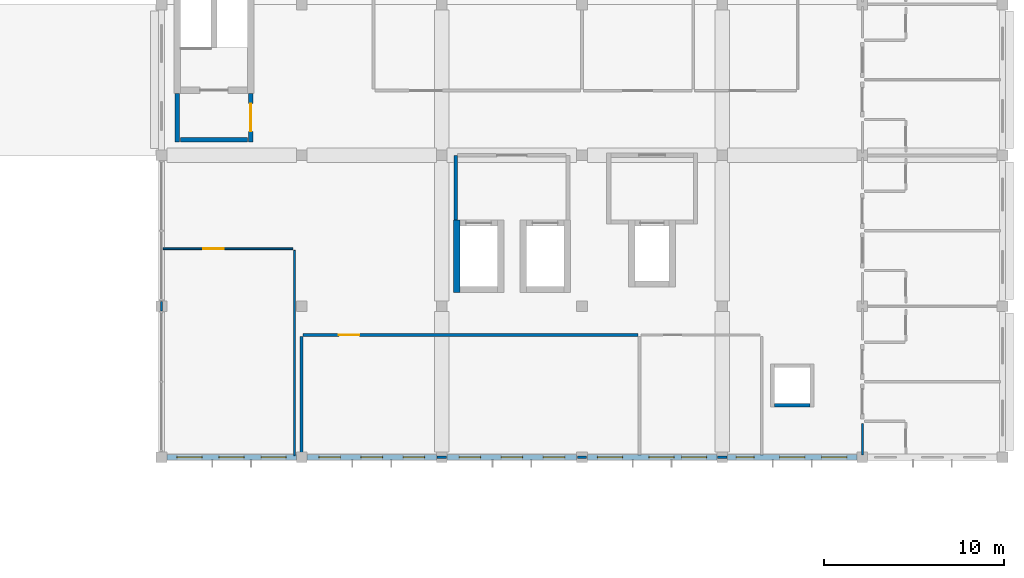
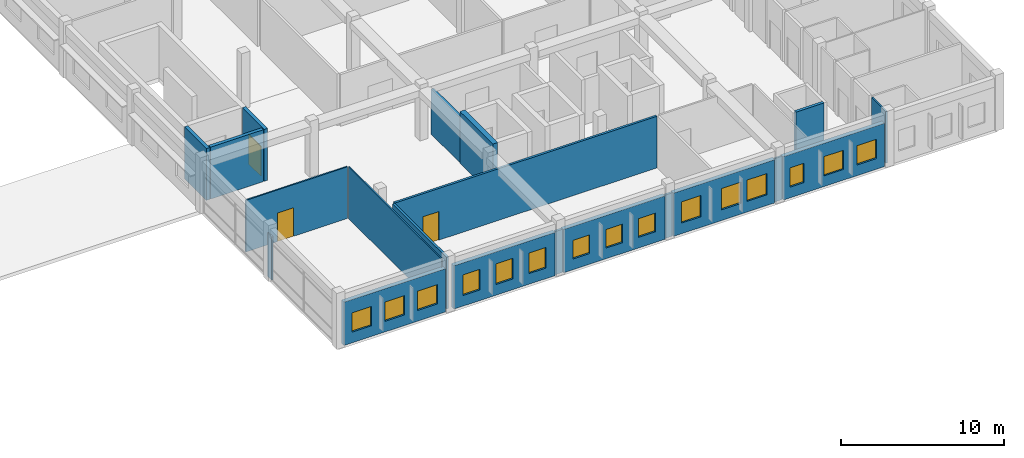
# One storey, part 18 of 32: 20 walls, 15 windows, 3 doors, 18 openings.
"""IFC4 building model written with IfcOpenShell, lengths in metres."""

from ifc_helpers import new_model, si_unit, direction, frame, frame_2d, origin, place, context, subcontext, project, spatial, rectangle, extrude, material, layer, layer_set, type_object, element, fill, save


model = new_model("IFC4")

# Units and contexts
model_context = context("Model", 3, precision=1e-05, world=origin(), true_north=direction((0.0, 1.0)))
body_context = subcontext(model_context, "Body", "Model", "MODEL_VIEW")
ifc_project = project(units=[si_unit("LENGTHUNIT", "METRE"), si_unit("AREAUNIT", "SQUARE_METRE"), si_unit("VOLUMEUNIT", "CUBIC_METRE"), si_unit("PLANEANGLEUNIT", "RADIAN"), si_unit("MASSUNIT", "GRAM", prefix="KILO"), si_unit("THERMODYNAMICTEMPERATUREUNIT", "KELVIN"), si_unit("POWERUNIT", "WATT")], contexts=[model_context])

# Site, building, storey
site_placement = place(None, origin())
site = spatial("IfcSite", under=ifc_project, at=site_placement, CompositionType="ELEMENT")
building_placement = place(site_placement, origin())
building = spatial("IfcBuilding", under=site, at=building_placement, Name="Srebrne Nadtorze General Hospital", CompositionType="ELEMENT")
storey_placement = place(building_placement, frame((0.0, 0.0, 29.699951171875)))
storey = spatial("IfcBuildingStorey", under=building, at=storey_placement, Name="L07", CompositionType="ELEMENT", Elevation=29.699951171875)

# Wall, opening, door
ifc_material_1 = material(Name="Gypsum Healthcare Partition")
ifc_layer_1 = layer(ifc_material_1, 0.159912109375)
ifc_layer_set_1 = layer_set([ifc_layer_1], Name="Gypsum Healthcare Partition")
wall_type_1 = type_object("IfcWallType", Name="Clinical partition 160", PredefinedType="PARTITIONING", material=ifc_layer_set_1)
wall_1_placement = place(storey_placement, frame((109.284912109375, 40.39990234375, 0.0), z_axis=(0.0, 0.0, 1.0), x_axis=(1.0, 0.0, 0.0)))
wall_1 = element("IfcWall", 1, at=wall_1_placement, inside=storey, type_object=wall_type_1, Name="Inpatient Family Consultation Room wall WL-INT-L07-2459", PredefinedType="PARTITIONING", context=body_context, shape_type="SweptSolid", body=[
    extrude(rectangle(XDim=18.630126953125, YDim=0.159912109375, at=frame_2d((9.31494140625, 0.0))), origin(), (0.0, 0.0, 1.0), 3.880126953125),
])
opening_1_placement = place(wall_1_placement, frame((1.982666015625, 0.0, 0.0)))
opening_1 = element("IfcOpeningElement", 2, at=opening_1_placement, cuts=wall_1, Name="Opening D-L07-0570", PredefinedType="OPENING", context=body_context, shape_type="SweptSolid", body=[
    extrude(rectangle(XDim=1.14990234375, YDim=2.14990234375, at=frame_2d((0.574951171875, 1.074951171875))), frame((0.0, 0.091796875, 0.0), z_axis=(0.0, -1.0, 0.0), x_axis=(1.0, 0.0, 0.0)), (0.0, 0.0, 1.0), 0.183837890625),
])
ifc_material_2 = material(Name="Anodised Aluminium", Category="aluminium")
door_type_1 = type_object("IfcDoorType", Name="Single leaf door 1150x2150", OperationType="NOTDEFINED", PredefinedType="DOOR", material=ifc_material_2)
door_1_placement = place(opening_1_placement, frame((1.14990234375, 0.0, 0.0), z_axis=(0.0, 0.0, 1.0), x_axis=(-1.0, 0.0, 0.0)))
door_1 = element("IfcDoor", 3, at=door_1_placement, inside=storey, type_object=door_type_1, Name="Inpatient Family Consultation Room door D-L07-0570", OperationType="SINGLE_SWING_RIGHT", OverallHeight=2.14990234375, OverallWidth=1.14990234375, PredefinedType="DOOR", context=body_context, shape_type="SweptSolid", body=[
    extrude(rectangle(XDim=1.14990234375, YDim=2.14990234375, at=frame_2d((0.574951171875, 1.074951171875))), frame((0.0, 0.02490234375, 0.0), z_axis=(0.0, -1.0, 0.0), x_axis=(1.0, 0.0, 0.0)), (0.0, 0.0, 1.0), 0.050048828125),
])
fill(opening_1, door_1)

# Walls
for number, where, z_axis, x_axis, name in (
    (4, (116.739990234375, 33.60009765625, 0.0), (0.0, 0.0, 1.0), (1.0, 0.0, 0.0), "Inpatient Family Consultation Room wall WL-INT-L07-2460"),
    (5, (124.5400390625, 33.60009765625, 0.0), (0.0, 0.0, 1.0), (1.0, 0.0, 0.0), "Inpatient Family Consultation Room wall WL-INT-L07-2461"),
):
    element("IfcWall", number, at=place(storey_placement, frame(where, z_axis=z_axis, x_axis=x_axis)), inside=storey, type_object=wall_type_1, Name=name, PredefinedType="PARTITIONING", context=body_context, shape_type="SweptSolid", body=[
        extrude(rectangle(XDim=0.52001953125, YDim=0.159912109375, at=frame_2d((0.260009765625, 0.0))), origin(), (0.0, 0.0, 1.0), 3.25),
    ])
wall_2_placement = place(storey_placement, frame((109.199951171875, 33.68505859375, 0.0), z_axis=(0.0, 0.0, 1.0), x_axis=(0.0, 1.0, 0.0)))
element("IfcWall", 6, at=wall_2_placement, inside=storey, type_object=wall_type_1, Name="Inpatient Family Consultation Room wall WL-INT-L07-2462", PredefinedType="PARTITIONING", context=body_context, shape_type="SweptSolid", body=[
    extrude(rectangle(XDim=6.6298828125, YDim=0.159912109375, at=frame_2d((3.31494140625, 0.0))), origin(), (0.0, 0.0, 1.0), 3.880126953125),
])
ifc_material_3 = material(Name="Gypsum Healthcare Partition")
ifc_layer_2 = layer(ifc_material_3, 0.199951171875)
ifc_layer_set_2 = layer_set([ifc_layer_2], Name="Gypsum Healthcare Partition")
wall_type_2 = type_object("IfcWallType", Name="Compartment wall 200", PredefinedType="STANDARD", material=ifc_layer_set_2)
wall_3_placement = place(storey_placement, frame((117.780029296875, 46.81005859375, 0.0), z_axis=(0.0, 0.0, 1.0), x_axis=(0.0, 1.0, 0.0)))
element("IfcWall", 7, at=wall_3_placement, inside=storey, type_object=wall_type_2, Name="Lift lobby side wall WL-INT-L07-1164", PredefinedType="STANDARD", context=body_context, shape_type="SweptSolid", body=[
    extrude(rectangle(XDim=3.58984375, YDim=0.199951171875, at=frame_2d((1.794921875, 0.0))), origin(), (0.0, 0.0, 1.0), 3.400146484375),
])
wall_4_placement = place(storey_placement, frame((135.5, 36.5, 0.0), z_axis=(0.0, 0.0, 1.0), x_axis=(1.0, 0.0, 0.0)))
element("IfcWall", 8, at=wall_4_placement, inside=storey, type_object=wall_type_2, Name="MEP riser wall WL-INT-L07-1173", PredefinedType="STANDARD", context=body_context, shape_type="SweptSolid", body=[
    extrude(rectangle(XDim=2.0, YDim=0.199951171875, at=frame_2d((1.0, 0.0))), origin(), (0.0, 0.0, 1.0), 3.900146484375),
])
ifc_material_4 = material(Name="Gypsum Healthcare Partition")
ifc_layer_3 = layer(ifc_material_4, 0.239990234375)
ifc_layer_set_3 = layer_set([ifc_layer_3], Name="Gypsum Healthcare Partition")
wall_type_3 = type_object("IfcWallType", Name="Corridor fire wall 240", PredefinedType="STANDARD", material=ifc_layer_set_3)
wall_5_placement = place(storey_placement, frame((102.27490234375, 51.155029296875, 0.0), z_axis=(0.0, 0.0, 1.0), x_axis=(0.0, 1.0, 0.0)))
element("IfcWall", 9, at=wall_5_placement, inside=storey, type_object=wall_type_3, Name="Fire lobby wall ST-03 WL-INT-L07-0429", PredefinedType="STANDARD", context=body_context, shape_type="SweptSolid", body=[
    extrude(rectangle(XDim=2.695068359375, YDim=0.239990234375, at=frame_2d((1.34765625, 0.0))), origin(), (0.0, 0.0, 1.0), 3.900146484375),
])

# Wall, opening, door
wall_6_placement = place(storey_placement, frame((106.375, 51.155029296875, 0.0), z_axis=(0.0, 0.0, 1.0), x_axis=(0.0, 1.0, 0.0)))
wall_6 = element("IfcWall", 10, at=wall_6_placement, inside=storey, type_object=wall_type_3, Name="Fire lobby wall ST-03 WL-INT-L07-0430", PredefinedType="STANDARD", context=body_context, shape_type="SweptSolid", body=[
    extrude(rectangle(XDim=2.695068359375, YDim=0.239990234375, at=frame_2d((1.34765625, 0.0))), origin(), (0.0, 0.0, 1.0), 3.900146484375),
])
opening_2_placement = place(wall_6_placement, frame((0.572509765625, 0.0, 0.0)))
opening_2 = element("IfcOpeningElement", 11, at=opening_2_placement, cuts=wall_6, Name="Opening D-L07-0108", PredefinedType="OPENING", context=body_context, shape_type="SweptSolid", body=[
    extrude(rectangle(XDim=1.550048828125, YDim=2.25, at=frame_2d((0.77490234375, 1.125))), frame((0.0, 0.1318359375, 0.0), z_axis=(0.0, -1.0, 0.0), x_axis=(1.0, 0.0, 0.0)), (0.0, 0.0, 1.0), 0.263916015625),
])
ifc_material_5 = material(Name="Anodised Aluminium", Category="aluminium")
door_type_2 = type_object("IfcDoorType", Name="Double leaf door 1550x2250", OperationType="DOUBLE_DOOR_SINGLE_SWING", PredefinedType="DOOR", material=ifc_material_5)
door_2_placement = place(opening_2_placement, origin())
door_2 = element("IfcDoor", 12, at=door_2_placement, inside=storey, type_object=door_type_2, Name="Fire lobby door ST-03 D-L07-0108", OperationType="DOUBLE_DOOR_SINGLE_SWING", OverallHeight=2.25, OverallWidth=1.550048828125, PredefinedType="DOOR", context=body_context, shape_type="SweptSolid", body=[
    extrude(rectangle(XDim=1.550048828125, YDim=2.25, at=frame_2d((0.77490234375, 1.125))), frame((0.0, 0.02490234375, 0.0), z_axis=(0.0, -1.0, 0.0), x_axis=(1.0, 0.0, 0.0)), (0.0, 0.0, 1.0), 0.050048828125),
])
fill(opening_2, door_2)

# Walls
wall_7_placement = place(storey_placement, frame((102.449951171875, 51.27490234375, 0.0), z_axis=(0.0, 0.0, 1.0), x_axis=(1.0, 0.0, 0.0)))
element("IfcWall", 13, at=wall_7_placement, inside=storey, type_object=wall_type_3, Name="Fire lobby entry wall ST-03 WL-INT-L07-0431", PredefinedType="STANDARD", context=body_context, shape_type="SweptSolid", body=[
    extrude(rectangle(XDim=3.75, YDim=0.239990234375, at=frame_2d((1.875, 0.0))), origin(), (0.0, 0.0, 1.0), 3.900146484375),
])
ifc_material_6 = material(Name="Gypsum Healthcare Partition")
ifc_layer_4 = layer(ifc_material_6, 0.1201171875)
ifc_layer_set_4 = layer_set([ifc_layer_4], Name="Gypsum Healthcare Partition")
wall_type_4 = type_object("IfcWallType", Name="En-suite partition 120", PredefinedType="PARTITIONING", material=ifc_layer_set_4)
wall_8_placement = place(storey_placement, frame((140.39990234375, 33.719970703125, 0.0), z_axis=(0.0, 0.0, 1.0), x_axis=(0.0, 1.0, 0.0)))
element("IfcWall", 14, at=wall_8_placement, inside=storey, type_object=wall_type_4, Name="En-suite corridor wall WL-INT-L07-2373", PredefinedType="PARTITIONING", context=body_context, shape_type="SweptSolid", body=[
    extrude(rectangle(XDim=1.760009765625, YDim=0.1201171875, at=frame_2d((0.8798828125, 0.0))), origin(), (0.0, 0.0, 1.0), 3.880126953125),
])
wall_9_placement = place(storey_placement, frame((132.340087890625, 33.60009765625, 0.0), z_axis=(0.0, 0.0, 1.0), x_axis=(1.0, 0.0, 0.0)))
element("IfcWall", 15, at=wall_9_placement, inside=storey, type_object=wall_type_4, Name="Accessible WC wall WL-INT-L07-2468", PredefinedType="PARTITIONING", context=body_context, shape_type="SweptSolid", body=[
    extrude(rectangle(XDim=0.52001953125, YDim=0.1201171875, at=frame_2d((0.260009765625, 0.0))), origin(), (0.0, 0.0, 1.0), 3.25),
])

# Wall, openings, windows
ifc_material_7 = material(Name="Concrete C40/50 precast", Category="concrete")
ifc_layer_5 = layer(ifc_material_7, 0.300048828125)
ifc_layer_set_5 = layer_set([ifc_layer_5], Name="Concrete C40/50 precast")
wall_type_5 = type_object("IfcWallType", Name="Limestone precast wall 300", PredefinedType="STANDARD", material=ifc_layer_set_5)
wall_10_placement = place(storey_placement, frame((101.699951171875, 33.60009765625, 0.0), z_axis=(0.0, 0.0, 1.0), x_axis=(1.0, 0.0, 0.0)))
wall_10 = element("IfcWall", 16, at=wall_10_placement, inside=storey, type_object=wall_type_5, Name="Exterior wall WL-ENV-L07-0510", PredefinedType="STANDARD", context=body_context, shape_type="SweptSolid", body=[
    extrude(rectangle(XDim=7.199951171875, YDim=0.300048828125, at=frame_2d((3.60009765625, 0.0))), origin(), (0.0, 0.0, 1.0), 3.25),
])
opening_3_placement = place(wall_10_placement, frame((0.56005859375, 0.0, 0.800048828125)))
opening_3 = element("IfcOpeningElement", 17, at=opening_3_placement, cuts=wall_10, Name="Opening WN-L07-0848", PredefinedType="OPENING", context=body_context, shape_type="SweptSolid", body=[
    extrude(rectangle(XDim=1.39990234375, YDim=1.449951171875, at=frame_2d((0.699951171875, 0.72509765625))), frame((0.0, 0.162109375, 0.0), z_axis=(0.0, -1.0, 0.0), x_axis=(1.0, 0.0, 0.0)), (0.0, 0.0, 1.0), 0.323974609375),
])
opening_4_placement = place(wall_10_placement, frame((2.89990234375, 0.0, 0.800048828125)))
opening_4 = element("IfcOpeningElement", 18, at=opening_4_placement, cuts=wall_10, Name="Opening WN-L07-0849", PredefinedType="OPENING", context=body_context, shape_type="SweptSolid", body=[
    extrude(rectangle(XDim=1.39990234375, YDim=1.449951171875, at=frame_2d((0.699951171875, 0.72509765625))), frame((0.0, 0.162109375, 0.0), z_axis=(0.0, -1.0, 0.0), x_axis=(1.0, 0.0, 0.0)), (0.0, 0.0, 1.0), 0.323974609375),
])
opening_5_placement = place(wall_10_placement, frame((5.239990234375, 0.0, 0.800048828125)))
opening_5 = element("IfcOpeningElement", 19, at=opening_5_placement, cuts=wall_10, Name="Opening WN-L07-0850", PredefinedType="OPENING", context=body_context, shape_type="SweptSolid", body=[
    extrude(rectangle(XDim=1.39990234375, YDim=1.449951171875, at=frame_2d((0.699951171875, 0.72509765625))), frame((0.0, 0.162109375, 0.0), z_axis=(0.0, -1.0, 0.0), x_axis=(1.0, 0.0, 0.0)), (0.0, 0.0, 1.0), 0.323974609375),
])
ifc_material_8 = material(Name="Triple Low-E Glazing", Category="glass")
window_type_1 = type_object("IfcWindowType", Name="Punched clinical window 1400x1450", PartitioningType="SINGLE_PANEL", PredefinedType="WINDOW", material=ifc_material_8)
window_1_placement = place(opening_3_placement, origin())
window_1 = element("IfcWindow", 20, at=window_1_placement, inside=storey, type_object=window_type_1, Name="Clinical window WN-L07-0848", OverallHeight=1.449951171875, OverallWidth=1.39990234375, PartitioningType="SINGLE_PANEL", PredefinedType="WINDOW", context=body_context, shape_type="SweptSolid", body=[
    extrude(rectangle(XDim=1.39990234375, YDim=1.449951171875, at=frame_2d((0.699951171875, 0.72509765625))), frame((0.0, 0.030029296875, 0.0), z_axis=(0.0, -1.0, 0.0), x_axis=(1.0, 0.0, 0.0)), (0.0, 0.0, 1.0), 0.06005859375),
])
fill(opening_3, window_1)
window_2_placement = place(opening_4_placement, origin())
window_2 = element("IfcWindow", 21, at=window_2_placement, inside=storey, type_object=window_type_1, Name="Clinical window WN-L07-0849", OverallHeight=1.449951171875, OverallWidth=1.39990234375, PartitioningType="SINGLE_PANEL", PredefinedType="WINDOW", context=body_context, shape_type="SweptSolid", body=[
    extrude(rectangle(XDim=1.39990234375, YDim=1.449951171875, at=frame_2d((0.699951171875, 0.72509765625))), frame((0.0, 0.030029296875, 0.0), z_axis=(0.0, -1.0, 0.0), x_axis=(1.0, 0.0, 0.0)), (0.0, 0.0, 1.0), 0.06005859375),
])
fill(opening_4, window_2)
window_3_placement = place(opening_5_placement, origin())
window_3 = element("IfcWindow", 22, at=window_3_placement, inside=storey, type_object=window_type_1, Name="Clinical window WN-L07-0850", OverallHeight=1.449951171875, OverallWidth=1.39990234375, PartitioningType="SINGLE_PANEL", PredefinedType="WINDOW", context=body_context, shape_type="SweptSolid", body=[
    extrude(rectangle(XDim=1.39990234375, YDim=1.449951171875, at=frame_2d((0.699951171875, 0.72509765625))), frame((0.0, 0.030029296875, 0.0), z_axis=(0.0, -1.0, 0.0), x_axis=(1.0, 0.0, 0.0)), (0.0, 0.0, 1.0), 0.06005859375),
])
fill(opening_5, window_3)

wall_11_placement = place(storey_placement, frame((109.5, 33.60009765625, 0.0), z_axis=(0.0, 0.0, 1.0), x_axis=(1.0, 0.0, 0.0)))
wall_11 = element("IfcWall", 23, at=wall_11_placement, inside=storey, type_object=wall_type_5, Name="Exterior wall WL-ENV-L07-0511", PredefinedType="STANDARD", context=body_context, shape_type="SweptSolid", body=[
    extrude(rectangle(XDim=7.199951171875, YDim=0.300048828125, at=frame_2d((3.60009765625, 0.0))), origin(), (0.0, 0.0, 1.0), 3.25),
])
opening_6_placement = place(wall_11_placement, frame((0.659912109375, 0.0, 0.800048828125)))
opening_6 = element("IfcOpeningElement", 24, at=opening_6_placement, cuts=wall_11, Name="Opening WN-L07-0851", PredefinedType="OPENING", context=body_context, shape_type="SweptSolid", body=[
    extrude(rectangle(XDim=1.199951171875, YDim=1.550048828125, at=frame_2d((0.60009765625, 0.77490234375))), frame((0.0, 0.162109375, 0.0), z_axis=(0.0, -1.0, 0.0), x_axis=(1.0, 0.0, 0.0)), (0.0, 0.0, 1.0), 0.323974609375),
])
opening_7_placement = place(wall_11_placement, frame((3.0, 0.0, 0.800048828125)))
opening_7 = element("IfcOpeningElement", 25, at=opening_7_placement, cuts=wall_11, Name="Opening WN-L07-0852", PredefinedType="OPENING", context=body_context, shape_type="SweptSolid", body=[
    extrude(rectangle(XDim=1.199951171875, YDim=1.550048828125, at=frame_2d((0.60009765625, 0.77490234375))), frame((0.0, 0.162109375, 0.0), z_axis=(0.0, -1.0, 0.0), x_axis=(1.0, 0.0, 0.0)), (0.0, 0.0, 1.0), 0.323974609375),
])
opening_8_placement = place(wall_11_placement, frame((5.340087890625, 0.0, 0.800048828125)))
opening_8 = element("IfcOpeningElement", 26, at=opening_8_placement, cuts=wall_11, Name="Opening WN-L07-0853", PredefinedType="OPENING", context=body_context, shape_type="SweptSolid", body=[
    extrude(rectangle(XDim=1.199951171875, YDim=1.550048828125, at=frame_2d((0.60009765625, 0.77490234375))), frame((0.0, 0.162109375, 0.0), z_axis=(0.0, -1.0, 0.0), x_axis=(1.0, 0.0, 0.0)), (0.0, 0.0, 1.0), 0.323974609375),
])
ifc_material_9 = material(Name="Triple Low-E Glazing", Category="glass")
window_type_2 = type_object("IfcWindowType", Name="Punched clinical window 1200x1550", PartitioningType="SINGLE_PANEL", PredefinedType="WINDOW", material=ifc_material_9)
window_4_placement = place(opening_6_placement, origin())
window_4 = element("IfcWindow", 27, at=window_4_placement, inside=storey, type_object=window_type_2, Name="Clinical window WN-L07-0851", OverallHeight=1.550048828125, OverallWidth=1.199951171875, PartitioningType="SINGLE_PANEL", PredefinedType="WINDOW", context=body_context, shape_type="SweptSolid", body=[
    extrude(rectangle(XDim=1.199951171875, YDim=1.550048828125, at=frame_2d((0.60009765625, 0.77490234375))), frame((0.0, 0.030029296875, 0.0), z_axis=(0.0, -1.0, 0.0), x_axis=(1.0, 0.0, 0.0)), (0.0, 0.0, 1.0), 0.06005859375),
])
fill(opening_6, window_4)
window_5_placement = place(opening_7_placement, origin())
window_5 = element("IfcWindow", 28, at=window_5_placement, inside=storey, type_object=window_type_2, Name="Clinical window WN-L07-0852", OverallHeight=1.550048828125, OverallWidth=1.199951171875, PartitioningType="SINGLE_PANEL", PredefinedType="WINDOW", context=body_context, shape_type="SweptSolid", body=[
    extrude(rectangle(XDim=1.199951171875, YDim=1.550048828125, at=frame_2d((0.60009765625, 0.77490234375))), frame((0.0, 0.030029296875, 0.0), z_axis=(0.0, -1.0, 0.0), x_axis=(1.0, 0.0, 0.0)), (0.0, 0.0, 1.0), 0.06005859375),
])
fill(opening_7, window_5)
window_6_placement = place(opening_8_placement, origin())
window_6 = element("IfcWindow", 29, at=window_6_placement, inside=storey, type_object=window_type_2, Name="Clinical window WN-L07-0853", OverallHeight=1.550048828125, OverallWidth=1.199951171875, PartitioningType="SINGLE_PANEL", PredefinedType="WINDOW", context=body_context, shape_type="SweptSolid", body=[
    extrude(rectangle(XDim=1.199951171875, YDim=1.550048828125, at=frame_2d((0.60009765625, 0.77490234375))), frame((0.0, 0.030029296875, 0.0), z_axis=(0.0, -1.0, 0.0), x_axis=(1.0, 0.0, 0.0)), (0.0, 0.0, 1.0), 0.06005859375),
])
fill(opening_8, window_6)

wall_12_placement = place(storey_placement, frame((117.300048828125, 33.60009765625, 0.0), z_axis=(0.0, 0.0, 1.0), x_axis=(1.0, 0.0, 0.0)))
wall_12 = element("IfcWall", 30, at=wall_12_placement, inside=storey, type_object=wall_type_5, Name="Exterior wall WL-ENV-L07-0512", PredefinedType="STANDARD", context=body_context, shape_type="SweptSolid", body=[
    extrude(rectangle(XDim=7.199951171875, YDim=0.300048828125, at=frame_2d((3.60009765625, 0.0))), origin(), (0.0, 0.0, 1.0), 3.25),
])
opening_9_placement = place(wall_12_placement, frame((0.659912109375, 0.0, 0.800048828125)))
opening_9 = element("IfcOpeningElement", 31, at=opening_9_placement, cuts=wall_12, Name="Opening WN-L07-0854", PredefinedType="OPENING", context=body_context, shape_type="SweptSolid", body=[
    extrude(rectangle(XDim=1.199951171875, YDim=1.39990234375, at=frame_2d((0.60009765625, 0.699951171875))), frame((0.0, 0.162109375, 0.0), z_axis=(0.0, -1.0, 0.0), x_axis=(1.0, 0.0, 0.0)), (0.0, 0.0, 1.0), 0.323974609375),
])
opening_10_placement = place(wall_12_placement, frame((3.0, 0.0, 0.800048828125)))
opening_10 = element("IfcOpeningElement", 32, at=opening_10_placement, cuts=wall_12, Name="Opening WN-L07-0855", PredefinedType="OPENING", context=body_context, shape_type="SweptSolid", body=[
    extrude(rectangle(XDim=1.199951171875, YDim=1.39990234375, at=frame_2d((0.60009765625, 0.699951171875))), frame((0.0, 0.162109375, 0.0), z_axis=(0.0, -1.0, 0.0), x_axis=(1.0, 0.0, 0.0)), (0.0, 0.0, 1.0), 0.323974609375),
])
opening_11_placement = place(wall_12_placement, frame((5.340087890625, 0.0, 0.800048828125)))
opening_11 = element("IfcOpeningElement", 33, at=opening_11_placement, cuts=wall_12, Name="Opening WN-L07-0856", PredefinedType="OPENING", context=body_context, shape_type="SweptSolid", body=[
    extrude(rectangle(XDim=1.199951171875, YDim=1.39990234375, at=frame_2d((0.60009765625, 0.699951171875))), frame((0.0, 0.162109375, 0.0), z_axis=(0.0, -1.0, 0.0), x_axis=(1.0, 0.0, 0.0)), (0.0, 0.0, 1.0), 0.323974609375),
])
ifc_material_10 = material(Name="Triple Low-E Glazing", Category="glass")
window_type_3 = type_object("IfcWindowType", Name="Punched clinical window 1200x1400", PartitioningType="SINGLE_PANEL", PredefinedType="WINDOW", material=ifc_material_10)
window_7_placement = place(opening_9_placement, origin())
window_7 = element("IfcWindow", 34, at=window_7_placement, inside=storey, type_object=window_type_3, Name="Clinical window WN-L07-0854", OverallHeight=1.39990234375, OverallWidth=1.199951171875, PartitioningType="SINGLE_PANEL", PredefinedType="WINDOW", context=body_context, shape_type="SweptSolid", body=[
    extrude(rectangle(XDim=1.199951171875, YDim=1.39990234375, at=frame_2d((0.60009765625, 0.699951171875))), frame((0.0, 0.030029296875, 0.0), z_axis=(0.0, -1.0, 0.0), x_axis=(1.0, 0.0, 0.0)), (0.0, 0.0, 1.0), 0.06005859375),
])
fill(opening_9, window_7)
window_8_placement = place(opening_10_placement, origin())
window_8 = element("IfcWindow", 35, at=window_8_placement, inside=storey, type_object=window_type_3, Name="Clinical window WN-L07-0855", OverallHeight=1.39990234375, OverallWidth=1.199951171875, PartitioningType="SINGLE_PANEL", PredefinedType="WINDOW", context=body_context, shape_type="SweptSolid", body=[
    extrude(rectangle(XDim=1.199951171875, YDim=1.39990234375, at=frame_2d((0.60009765625, 0.699951171875))), frame((0.0, 0.030029296875, 0.0), z_axis=(0.0, -1.0, 0.0), x_axis=(1.0, 0.0, 0.0)), (0.0, 0.0, 1.0), 0.06005859375),
])
fill(opening_10, window_8)
window_9_placement = place(opening_11_placement, origin())
window_9 = element("IfcWindow", 36, at=window_9_placement, inside=storey, type_object=window_type_3, Name="Clinical window WN-L07-0856", OverallHeight=1.39990234375, OverallWidth=1.199951171875, PartitioningType="SINGLE_PANEL", PredefinedType="WINDOW", context=body_context, shape_type="SweptSolid", body=[
    extrude(rectangle(XDim=1.199951171875, YDim=1.39990234375, at=frame_2d((0.60009765625, 0.699951171875))), frame((0.0, 0.030029296875, 0.0), z_axis=(0.0, -1.0, 0.0), x_axis=(1.0, 0.0, 0.0)), (0.0, 0.0, 1.0), 0.06005859375),
])
fill(opening_11, window_9)

wall_13_placement = place(storey_placement, frame((125.10009765625, 33.60009765625, 0.0), z_axis=(0.0, 0.0, 1.0), x_axis=(1.0, 0.0, 0.0)))
wall_13 = element("IfcWall", 37, at=wall_13_placement, inside=storey, type_object=wall_type_5, Name="Exterior wall WL-ENV-L07-0513", PredefinedType="STANDARD", context=body_context, shape_type="SweptSolid", body=[
    extrude(rectangle(XDim=7.199951171875, YDim=0.300048828125, at=frame_2d((3.60009765625, 0.0))), origin(), (0.0, 0.0, 1.0), 3.25),
])
opening_12_placement = place(wall_13_placement, frame((0.56005859375, 0.0, 0.800048828125)))
opening_12 = element("IfcOpeningElement", 38, at=opening_12_placement, cuts=wall_13, Name="Opening WN-L07-0857", PredefinedType="OPENING", context=body_context, shape_type="SweptSolid", body=[
    extrude(rectangle(XDim=1.39990234375, YDim=1.60009765625, at=frame_2d((0.699951171875, 0.800048828125))), frame((0.0, 0.162109375, 0.0), z_axis=(0.0, -1.0, 0.0), x_axis=(1.0, 0.0, 0.0)), (0.0, 0.0, 1.0), 0.323974609375),
])
opening_13_placement = place(wall_13_placement, frame((3.419921875, 0.0, 0.800048828125)))
opening_13 = element("IfcOpeningElement", 39, at=opening_13_placement, cuts=wall_13, Name="Opening WN-L07-0858", PredefinedType="OPENING", context=body_context, shape_type="SweptSolid", body=[
    extrude(rectangle(XDim=1.39990234375, YDim=1.60009765625, at=frame_2d((0.699951171875, 0.800048828125))), frame((0.0, 0.162109375, 0.0), z_axis=(0.0, -1.0, 0.0), x_axis=(1.0, 0.0, 0.0)), (0.0, 0.0, 1.0), 0.323974609375),
])
opening_14_placement = place(wall_13_placement, frame((5.239990234375, 0.0, 0.800048828125)))
opening_14 = element("IfcOpeningElement", 40, at=opening_14_placement, cuts=wall_13, Name="Opening WN-L07-0859", PredefinedType="OPENING", context=body_context, shape_type="SweptSolid", body=[
    extrude(rectangle(XDim=1.39990234375, YDim=1.60009765625, at=frame_2d((0.699951171875, 0.800048828125))), frame((0.0, 0.162109375, 0.0), z_axis=(0.0, -1.0, 0.0), x_axis=(1.0, 0.0, 0.0)), (0.0, 0.0, 1.0), 0.323974609375),
])
ifc_material_11 = material(Name="Triple Low-E Glazing", Category="glass")
window_type_4 = type_object("IfcWindowType", Name="Punched clinical window 1400x1600", PartitioningType="SINGLE_PANEL", PredefinedType="WINDOW", material=ifc_material_11)
window_10_placement = place(opening_12_placement, origin())
window_10 = element("IfcWindow", 41, at=window_10_placement, inside=storey, type_object=window_type_4, Name="Clinical window WN-L07-0857", OverallHeight=1.60009765625, OverallWidth=1.39990234375, PartitioningType="SINGLE_PANEL", PredefinedType="WINDOW", context=body_context, shape_type="SweptSolid", body=[
    extrude(rectangle(XDim=1.39990234375, YDim=1.60009765625, at=frame_2d((0.699951171875, 0.800048828125))), frame((0.0, 0.030029296875, 0.0), z_axis=(0.0, -1.0, 0.0), x_axis=(1.0, 0.0, 0.0)), (0.0, 0.0, 1.0), 0.06005859375),
])
fill(opening_12, window_10)
window_11_placement = place(opening_13_placement, origin())
window_11 = element("IfcWindow", 42, at=window_11_placement, inside=storey, type_object=window_type_4, Name="Clinical window WN-L07-0858", OverallHeight=1.60009765625, OverallWidth=1.39990234375, PartitioningType="SINGLE_PANEL", PredefinedType="WINDOW", context=body_context, shape_type="SweptSolid", body=[
    extrude(rectangle(XDim=1.39990234375, YDim=1.60009765625, at=frame_2d((0.699951171875, 0.800048828125))), frame((0.0, 0.030029296875, 0.0), z_axis=(0.0, -1.0, 0.0), x_axis=(1.0, 0.0, 0.0)), (0.0, 0.0, 1.0), 0.06005859375),
])
fill(opening_13, window_11)
window_12_placement = place(opening_14_placement, origin())
window_12 = element("IfcWindow", 43, at=window_12_placement, inside=storey, type_object=window_type_4, Name="Clinical window WN-L07-0859", OverallHeight=1.60009765625, OverallWidth=1.39990234375, PartitioningType="SINGLE_PANEL", PredefinedType="WINDOW", context=body_context, shape_type="SweptSolid", body=[
    extrude(rectangle(XDim=1.39990234375, YDim=1.60009765625, at=frame_2d((0.699951171875, 0.800048828125))), frame((0.0, 0.030029296875, 0.0), z_axis=(0.0, -1.0, 0.0), x_axis=(1.0, 0.0, 0.0)), (0.0, 0.0, 1.0), 0.06005859375),
])
fill(opening_14, window_12)

wall_14_placement = place(storey_placement, frame((132.89990234375, 33.60009765625, 0.0), z_axis=(0.0, 0.0, 1.0), x_axis=(1.0, 0.0, 0.0)))
wall_14 = element("IfcWall", 44, at=wall_14_placement, inside=storey, type_object=wall_type_5, Name="Exterior wall WL-ENV-L07-0514", PredefinedType="STANDARD", context=body_context, shape_type="SweptSolid", body=[
    extrude(rectangle(XDim=7.2001953125, YDim=0.300048828125, at=frame_2d((3.60009765625, 0.0))), origin(), (0.0, 0.0, 1.0), 3.25),
])
opening_15_placement = place(wall_14_placement, frame((0.47998046875, 0.0, 0.800048828125)))
opening_15 = element("IfcOpeningElement", 45, at=opening_15_placement, cuts=wall_14, Name="Opening WN-L07-0860", PredefinedType="OPENING", context=body_context, shape_type="SweptSolid", body=[
    extrude(rectangle(XDim=1.0, YDim=1.449951171875, at=frame_2d((0.5, 0.72509765625))), frame((0.0, 0.162109375, 0.0), z_axis=(0.0, -1.0, 0.0), x_axis=(1.0, 0.0, 0.0)), (0.0, 0.0, 1.0), 0.323974609375),
])
opening_16_placement = place(wall_14_placement, frame((2.89990234375, 0.0, 0.800048828125)))
opening_16 = element("IfcOpeningElement", 46, at=opening_16_placement, cuts=wall_14, Name="Opening WN-L07-0861", PredefinedType="OPENING", context=body_context, shape_type="SweptSolid", body=[
    extrude(rectangle(XDim=1.39990234375, YDim=1.449951171875, at=frame_2d((0.699951171875, 0.72509765625))), frame((0.0, 0.162109375, 0.0), z_axis=(0.0, -1.0, 0.0), x_axis=(1.0, 0.0, 0.0)), (0.0, 0.0, 1.0), 0.323974609375),
])
opening_17_placement = place(wall_14_placement, frame((5.239990234375, 0.0, 0.800048828125)))
opening_17 = element("IfcOpeningElement", 47, at=opening_17_placement, cuts=wall_14, Name="Opening WN-L07-0862", PredefinedType="OPENING", context=body_context, shape_type="SweptSolid", body=[
    extrude(rectangle(XDim=1.39990234375, YDim=1.449951171875, at=frame_2d((0.699951171875, 0.72509765625))), frame((0.0, 0.162109375, 0.0), z_axis=(0.0, -1.0, 0.0), x_axis=(1.0, 0.0, 0.0)), (0.0, 0.0, 1.0), 0.323974609375),
])
ifc_material_12 = material(Name="Triple Low-E Glazing", Category="glass")
window_type_5 = type_object("IfcWindowType", Name="Punched clinical window 1000x1450", PartitioningType="SINGLE_PANEL", PredefinedType="WINDOW", material=ifc_material_12)
window_13_placement = place(opening_15_placement, origin())
window_13 = element("IfcWindow", 48, at=window_13_placement, inside=storey, type_object=window_type_5, Name="Clinical window WN-L07-0860", OverallHeight=1.449951171875, OverallWidth=1.0, PartitioningType="SINGLE_PANEL", PredefinedType="WINDOW", context=body_context, shape_type="SweptSolid", body=[
    extrude(rectangle(XDim=1.0, YDim=1.449951171875, at=frame_2d((0.5, 0.72509765625))), frame((0.0, 0.030029296875, 0.0), z_axis=(0.0, -1.0, 0.0), x_axis=(1.0, 0.0, 0.0)), (0.0, 0.0, 1.0), 0.06005859375),
])
fill(opening_15, window_13)
window_14_placement = place(opening_16_placement, origin())
window_14 = element("IfcWindow", 49, at=window_14_placement, inside=storey, type_object=window_type_1, Name="Clinical window WN-L07-0861", OverallHeight=1.449951171875, OverallWidth=1.39990234375, PartitioningType="SINGLE_PANEL", PredefinedType="WINDOW", context=body_context, shape_type="SweptSolid", body=[
    extrude(rectangle(XDim=1.39990234375, YDim=1.449951171875, at=frame_2d((0.699951171875, 0.72509765625))), frame((0.0, 0.030029296875, 0.0), z_axis=(0.0, -1.0, 0.0), x_axis=(1.0, 0.0, 0.0)), (0.0, 0.0, 1.0), 0.06005859375),
])
fill(opening_16, window_14)
window_15_placement = place(opening_17_placement, origin())
window_15 = element("IfcWindow", 50, at=window_15_placement, inside=storey, type_object=window_type_1, Name="Clinical window WN-L07-0862", OverallHeight=1.449951171875, OverallWidth=1.39990234375, PartitioningType="SINGLE_PANEL", PredefinedType="WINDOW", context=body_context, shape_type="SweptSolid", body=[
    extrude(rectangle(XDim=1.39990234375, YDim=1.449951171875, at=frame_2d((0.699951171875, 0.72509765625))), frame((0.0, 0.030029296875, 0.0), z_axis=(0.0, -1.0, 0.0), x_axis=(1.0, 0.0, 0.0)), (0.0, 0.0, 1.0), 0.06005859375),
])
fill(opening_17, window_15)

# Wall, opening, door
ifc_material_13 = material(Name="Gypsum Healthcare Partition")
ifc_layer_6 = layer(ifc_material_13, 0.10009765625)
ifc_layer_set_6 = layer_set([ifc_layer_6], Name="Gypsum Healthcare Partition")
wall_type_6 = type_object("IfcWallType", Name="Shaft lining wall 100", PredefinedType="PARTITIONING", material=ifc_layer_set_6)
wall_15_placement = place(storey_placement, frame((101.485107421875, 45.199951171875, 0.0), z_axis=(0.0, 0.0, 1.0), x_axis=(1.0, 0.0, 0.0)))
wall_15 = element("IfcWall", 51, at=wall_15_placement, inside=storey, type_object=wall_type_6, Name="Ward Clinical Pharmacy Satellite wall WL-INT-L07-2456", PredefinedType="PARTITIONING", context=body_context, shape_type="SweptSolid", body=[
    extrude(rectangle(XDim=7.22998046875, YDim=0.10009765625, at=frame_2d((3.614990234375, 0.0))), origin(), (0.0, 0.0, 1.0), 3.880126953125),
])
opening_18_placement = place(wall_15_placement, frame((2.237060546875, 0.0, 0.0)))
opening_18 = element("IfcOpeningElement", 52, at=opening_18_placement, cuts=wall_15, Name="Opening D-L07-0569", PredefinedType="OPENING", context=body_context, shape_type="SweptSolid", body=[
    extrude(rectangle(XDim=1.14990234375, YDim=2.14990234375, at=frame_2d((0.574951171875, 1.074951171875))), frame((0.0, 0.06201171875, 0.0), z_axis=(0.0, -1.0, 0.0), x_axis=(1.0, 0.0, 0.0)), (0.0, 0.0, 1.0), 0.1240234375),
])
door_3_placement = place(opening_18_placement, frame((1.14990234375, 0.0, 0.0), z_axis=(0.0, 0.0, 1.0), x_axis=(-1.0, 0.0, 0.0)))
door_3 = element("IfcDoor", 53, at=door_3_placement, inside=storey, type_object=door_type_1, Name="Ward Clinical Pharmacy Satellite door D-L07-0569", OperationType="SINGLE_SWING_RIGHT", OverallHeight=2.14990234375, OverallWidth=1.14990234375, PredefinedType="DOOR", context=body_context, shape_type="SweptSolid", body=[
    extrude(rectangle(XDim=1.14990234375, YDim=2.14990234375, at=frame_2d((0.574951171875, 1.074951171875))), frame((0.0, 0.02490234375, 0.0), z_axis=(0.0, -1.0, 0.0), x_axis=(1.0, 0.0, 0.0)), (0.0, 0.0, 1.0), 0.050048828125),
])
fill(opening_18, door_3)

# Walls
wall_16_placement = place(storey_placement, frame((101.39990234375, 41.739990234375, 0.0), z_axis=(0.0, 0.0, 1.0), x_axis=(0.0, 1.0, 0.0)))
element("IfcWall", 54, at=wall_16_placement, inside=storey, type_object=wall_type_6, Name="Ward Clinical Pharmacy Satellite wall WL-INT-L07-2457", PredefinedType="PARTITIONING", context=body_context, shape_type="SweptSolid", body=[
    extrude(rectangle(XDim=0.52001953125, YDim=0.10009765625, at=frame_2d((0.260009765625, 0.0))), origin(), (0.0, 0.0, 1.0), 3.25),
])
wall_17_placement = place(storey_placement, frame((108.800048828125, 33.68505859375, 0.0), z_axis=(0.0, 0.0, 1.0), x_axis=(0.0, 1.0, 0.0)))
element("IfcWall", 55, at=wall_17_placement, inside=storey, type_object=wall_type_6, Name="Ward Clinical Pharmacy Satellite wall WL-INT-L07-2458", PredefinedType="PARTITIONING", context=body_context, shape_type="SweptSolid", body=[
    extrude(rectangle(XDim=11.429931640625, YDim=0.10009765625, at=frame_2d((5.71484375, 0.0))), origin(), (0.0, 0.0, 1.0), 3.880126953125),
])
ifc_material_14 = material(Name="Concrete C40/50", Category="concrete")
ifc_layer_7 = layer(ifc_material_14, 0.35009765625)
ifc_layer_set_7 = layer_set([ifc_layer_7], Name="Concrete C40/50")
wall_type_7 = type_object("IfcWallType", Name="Shear core wall 350", PredefinedType="SHEAR", material=ifc_layer_set_7)
wall_18_placement = place(storey_placement, frame((117.824951171875, 42.760009765625, 0.0), z_axis=(0.0, 0.0, 1.0), x_axis=(0.0, 1.0, 0.0)))
element("IfcWall", 56, at=wall_18_placement, inside=storey, type_object=wall_type_7, Name="Lift shaft wall LS-03 WL-INT-L07-0794", PredefinedType="SHEAR", context=body_context, shape_type="SweptSolid", body=[
    extrude(rectangle(XDim=4.050048828125, YDim=0.35009765625, at=frame_2d((2.02490234375, 0.0))), origin(), (0.0, 0.0, 1.0), 3.900146484375),
])

save(model, "model.ifc")
